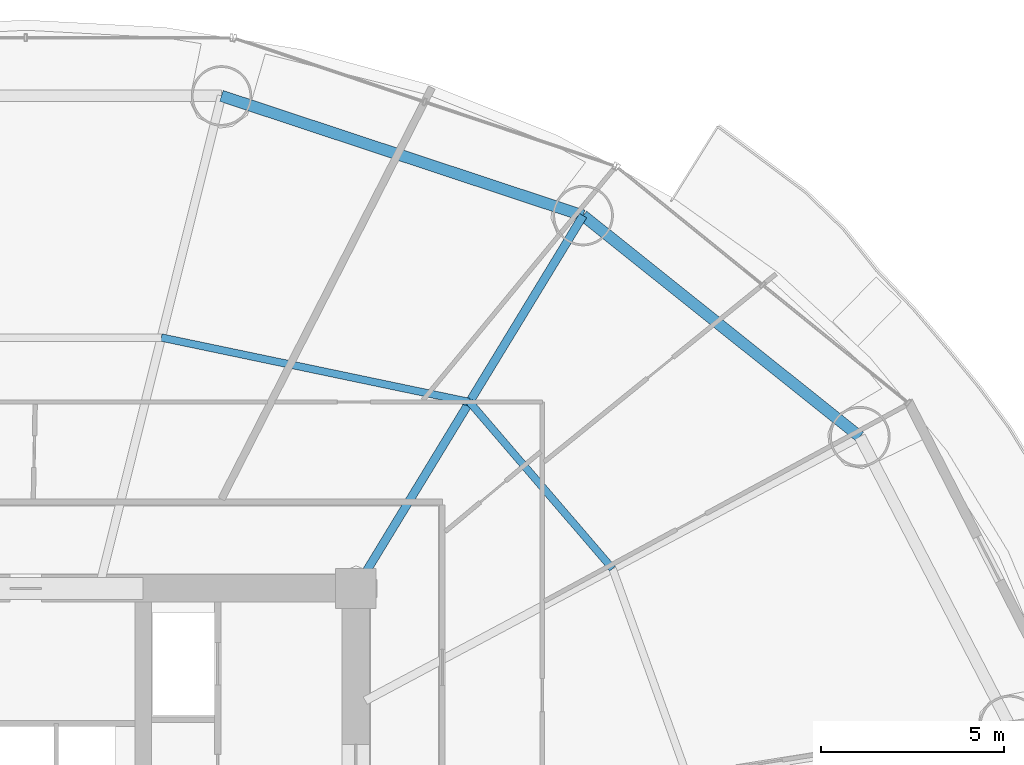
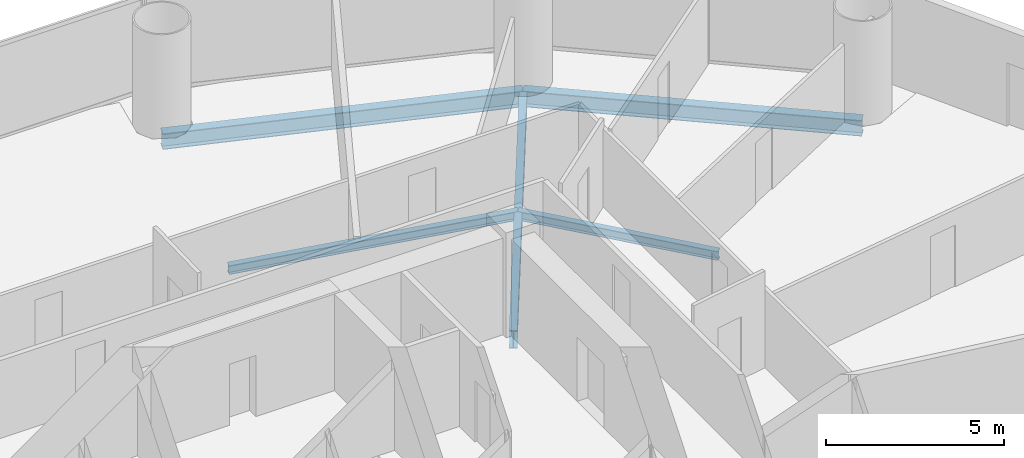
# One storey, part 19 of 30: 5 beams.
"""IFC4 building model written with IfcOpenShell, lengths in metres."""

import ifcopenshell
import ifcopenshell.guid

model = None  # the IFC model being written
_history = None  # IfcOwnerHistory: only IFC2X3 demands one
_inside = {}  # id of a spatial element -> (the spatial element, [elements in it])
_under = {}  # id of a project, library or spatial element -> (it, [spatial elements below it])
_declared = {}  # id of a project -> (the project, [libraries it declares])
_typed = {}  # id of a type object -> (the type object, [elements of that type])
_made_of = {}  # id of a material, layer set ... -> (it, [elements and type objects made of it])


def new_model(schema):
    """Start an empty IFC model of exactly this schema.

    Asked for "IFC4X3", IfcOpenShell would pick the latest addendum, in which some entities
    have other attributes; the version numbers below select the first issue.
    IFC2X3 requires an IfcOwnerHistory on every rooted entity: one is made here for all.
    """
    global model, _history
    if schema == "IFC4X3":
        model = ifcopenshell.file(schema_version=(4, 3, 0, 0))
    else:
        model = ifcopenshell.file(schema=schema)
    _inside.clear()
    _under.clear()
    _declared.clear()
    _typed.clear()
    _made_of.clear()
    _history = None
    if model.schema == "IFC2X3":
        org = make("IfcOrganization", Name="unknown")
        user = make(
            "IfcPersonAndOrganization",
            ThePerson=make("IfcPerson", FamilyName="unknown"),
            TheOrganization=org,
        )
        app = make(
            "IfcApplication",
            ApplicationDeveloper=org,
            Version="unknown",
            ApplicationFullName="unknown",
            ApplicationIdentifier="unknown",
        )
        _history = make(
            "IfcOwnerHistory",
            OwningUser=user,
            OwningApplication=app,
            ChangeAction="ADDED",
            CreationDate=0,
        )
    return model


def make(cls, **values):
    """One entity of the class cls with the attributes given. An attribute that is None is left unset."""
    return model.create_entity(
        cls, **{name: value for name, value in values.items() if value is not None}
    )


def rooted(cls, **values):
    """An entity with a GlobalId (a new one), such as an element, a storey or a relation."""
    return make(cls, GlobalId=ifcopenshell.guid.new(), OwnerHistory=_history, **values)


def si_unit(unit_type, name, prefix=None):
    """IfcSIUnit, for example si_unit("LENGTHUNIT", "METRE", prefix="MILLI")."""
    return make("IfcSIUnit", UnitType=unit_type, Prefix=prefix, Name=name)


def assignment(units):
    """IfcUnitAssignment: the units of a project."""
    return None if units is None else make("IfcUnitAssignment", Units=units)


def point(xyz):
    """IfcCartesianPoint."""
    return None if xyz is None else make("IfcCartesianPoint", Coordinates=xyz)


def direction(xyz):
    """IfcDirection."""
    return None if xyz is None else make("IfcDirection", DirectionRatios=xyz)


def frame(location, z_axis=None, x_axis=None):
    """IfcAxis2Placement3D, a coordinate frame: its origin and axes. An axis left out is left unset."""
    return make(
        "IfcAxis2Placement3D",
        Location=point(location),
        Axis=direction(z_axis),
        RefDirection=direction(x_axis),
    )


def frame_2d(location, x_axis=None):
    """IfcAxis2Placement2D, a coordinate frame in the plane: its origin and x axis."""
    return make(
        "IfcAxis2Placement2D", Location=point(location), RefDirection=direction(x_axis)
    )


def origin():
    """The frame at (0, 0, 0) with its axes left unset."""
    return frame((0.0, 0.0, 0.0))


def origin_2d():
    """The frame at (0, 0) in the plane with its x axis left unset."""
    return frame_2d((0.0, 0.0))


def place(relative_to, where):
    """IfcLocalPlacement: puts the frame where relative to a parent placement (None: the world)."""
    return make(
        "IfcLocalPlacement", PlacementRelTo=relative_to, RelativePlacement=where
    )


def context(
    kind, dimensions, precision=None, world=None, true_north=None, identifier=None
):
    """IfcGeometricRepresentationContext, for example the 3D "Model" context."""
    return make(
        "IfcGeometricRepresentationContext",
        ContextIdentifier=identifier,
        ContextType=kind,
        CoordinateSpaceDimension=dimensions,
        Precision=precision,
        WorldCoordinateSystem=world,
        TrueNorth=true_north,
    )


def subcontext(parent, identifier, kind, view, scale=None):
    """IfcGeometricRepresentationSubContext, for example "Body" below "Model"."""
    return make(
        "IfcGeometricRepresentationSubContext",
        ContextIdentifier=identifier,
        ContextType=kind,
        ParentContext=parent,
        TargetScale=scale,
        TargetView=view,
    )


def project(units=None, contexts=None):
    """IfcProject with its units and contexts."""
    return rooted(
        "IfcProject",
        Name="project",
        RepresentationContexts=contexts,
        UnitsInContext=assignment(units),
    )


def spatial(cls, under=None, at=None, **own):
    """A site, building, storey or space (cls), placed at a placement, below another one or the project."""
    s = rooted(cls, ObjectPlacement=at, **own)
    if under is not None:
        _under.setdefault(under.id(), (under, []))[1].append(s)
    return s


def profile(cls, at=None, kind="AREA", **sizes):
    """A parametric profile (cls). Its sizes go by their IFC names, for example OverallWidth=200.0."""
    return make(cls, ProfileType=kind, Position=at, **sizes)


def i_section(**sizes):
    """IfcIShapeProfileDef."""
    return profile("IfcIShapeProfileDef", **sizes)


def extrude(swept, where, along, depth):
    """IfcExtrudedAreaSolid: the profile swept, set in the frame where, extruded along a direction by depth."""
    return make(
        "IfcExtrudedAreaSolid",
        SweptArea=swept,
        Position=where,
        ExtrudedDirection=direction(along),
        Depth=depth,
    )


def shape(context_of_items, identifier, shape_type, items):
    """IfcShapeRepresentation: the items that make up one representation, for example the "Body"."""
    return make(
        "IfcShapeRepresentation",
        ContextOfItems=context_of_items,
        RepresentationIdentifier=identifier,
        RepresentationType=shape_type,
        Items=items,
    )


def material(Name=None, Category=None):
    """IfcMaterial."""
    return make("IfcMaterial", Name=Name, Category=Category)


def material_profile(
    of_material, cross_section, Name=None, Category=None, Priority=None
):
    """IfcMaterialProfile: a cross section and its material."""
    return make(
        "IfcMaterialProfile",
        Name=Name,
        Material=of_material,
        Profile=cross_section,
        Priority=Priority,
        Category=Category,
    )


def profile_set(profiles, Name=None, composite=None):
    """IfcMaterialProfileSet."""
    return make(
        "IfcMaterialProfileSet",
        Name=Name,
        MaterialProfiles=profiles,
        CompositeProfile=composite,
    )


def made_of(thing, what):
    """Note that an element or type object is made of a material, layer set ...; save() writes the relation."""
    if what is not None:
        _made_of.setdefault(what.id(), (what, []))[1].append(thing)
    return thing


def type_object(cls, material=None, **own):
    """A type object (cls), such as IfcWallType, which elements share."""
    return made_of(rooted(cls, **own), material)


def element(
    cls,
    number,
    at=None,
    inside=None,
    cuts=None,
    type_object=None,
    material=None,
    context=None,
    identifier="Body",
    shape_type=None,
    held_by="IfcProductDefinitionShape",
    body=None,
    shapes=None,
    **own,
):
    """One element of the class cls, such as IfcWall. Its Tag is "e" and its number.

    at: its placement. inside: the storey or other place that contains it. cuts: it is an
    opening in that element (IfcRelVoidsElement). A single representation is given by context,
    identifier, shape_type and body (its items); several are given by shapes. held_by: the class
    of the entity that holds the representations. save() writes the other relations.
    """
    e = rooted(cls, Tag="e%d" % number, ObjectPlacement=at, **own)
    if body is not None:
        shapes = [shape(context, identifier, shape_type, body)]
    if shapes is not None:
        e.Representation = make(held_by, Representations=shapes)
    if inside is not None:
        _inside.setdefault(inside.id(), (inside, []))[1].append(e)
    if cuts is not None:
        rooted(
            "IfcRelVoidsElement", RelatingBuildingElement=cuts, RelatedOpeningElement=e
        )
    if type_object is not None:
        _typed.setdefault(type_object.id(), (type_object, []))[1].append(e)
    return made_of(e, material)


def aggregate(whole, parts):
    """IfcRelAggregates: a whole, such as a stair, and the parts it consists of."""
    return rooted("IfcRelAggregates", RelatingObject=whole, RelatedObjects=parts)


def save(model, path):
    """Write the relations noted so far, then the file.

    IfcRelAggregates (storeys below a building ...), IfcRelContainedInSpatialStructure (elements
    in a storey), IfcRelDefinesByType, IfcRelAssociatesMaterial and IfcRelDeclares: one each for
    every whole, place, type object, material and project.
    """
    for whole, parts in _under.values():
        aggregate(whole, parts)
    for where, things in _inside.values():
        rooted(
            "IfcRelContainedInSpatialStructure",
            RelatedElements=things,
            RelatingStructure=where,
        )
    for kind, things in _typed.values():
        rooted("IfcRelDefinesByType", RelatedObjects=things, RelatingType=kind)
    for what, things in _made_of.values():
        rooted("IfcRelAssociatesMaterial", RelatedObjects=things, RelatingMaterial=what)
    for by, libraries in _declared.values():
        rooted("IfcRelDeclares", RelatingContext=by, RelatedDefinitions=libraries)
    model.write(path)


model = new_model("IFC4")

# Units and contexts
model_context = context("Model", 3, precision=1e-05, world=origin(), true_north=direction((-0.2419218956, 0.970295726276)))
body_context = subcontext(model_context, "Body", "Model", "MODEL_VIEW")
ifc_project = project(units=[si_unit("LENGTHUNIT", "METRE"), si_unit("AREAUNIT", "SQUARE_METRE"), si_unit("VOLUMEUNIT", "CUBIC_METRE"), si_unit("PLANEANGLEUNIT", "RADIAN"), si_unit("MASSUNIT", "GRAM", prefix="KILO")], contexts=[model_context])

# Site, building, storey
site_placement = place(None, origin())
site = spatial("IfcSite", under=ifc_project, at=site_placement, CompositionType="ELEMENT")
building_placement = place(site_placement, origin())
building = spatial("IfcBuilding", under=site, at=building_placement, Name="Cobrevalo Terracotta Tower", CompositionType="ELEMENT")
storey_placement = place(building_placement, frame((0.0, 0.0, 27.60009765625)))
storey = spatial("IfcBuildingStorey", under=building, at=storey_placement, Name="L06", CompositionType="ELEMENT", Elevation=27.60009765625)

# Beams
ifc_material = material(Name="Steel S355", Category="steel")
ifc_material_profile_1 = material_profile(ifc_material, i_section(OverallWidth=0.22998046875, OverallDepth=0.616943359375, WebThickness=0.01318359375, FlangeThickness=0.022216796875, at=origin_2d()), Name="W 610x140")
ifc_profile_set_1 = profile_set([ifc_material_profile_1], Name="Steel S355")
beam_type_1 = type_object("IfcBeamType", Name="Structural Beam W 610x140 (Steel S355)", PredefinedType="BEAM", material=ifc_profile_set_1)
beam_1_placement = place(storey_placement, frame((53.19482421875, 44.967529296875, -0.588623046875), z_axis=(-0.520309892051, -0.853977526773, 0.0), x_axis=(0.853977526773, -0.520309892051, 0.0)))
element("IfcBeam", 1, at=beam_1_placement, inside=storey, type_object=beam_type_1, Name="L06 radial floor girder 03", PredefinedType="BEAM", context=body_context, shape_type="SweptSolid", body=[
    extrude(i_section(OverallWidth=0.22998046875, OverallDepth=0.616943359375, WebThickness=0.01318359375, FlangeThickness=0.022216796875, at=origin_2d()), origin(), (0.0, 0.0, 1.0), 11.906005859375),
])
ifc_material_profile_2 = material_profile(ifc_material, i_section(OverallWidth=0.2041015625, OverallDepth=0.305908203125, WebThickness=0.008544921875, FlangeThickness=0.0146484375, at=origin_2d()), Name="W 310x67")
ifc_profile_set_2 = profile_set([ifc_material_profile_2], Name="Steel S355")
beam_type_2 = type_object("IfcBeamType", Name="Structural Joist W 310x67 (Steel S355)", PredefinedType="JOIST", material=ifc_profile_set_2)
beam_2_placement = place(storey_placement, frame((53.997802734375, 35.33984375, -0.43310546875), z_axis=(-0.651328404454, 0.758795960421, 0.0), x_axis=(-0.758795960421, -0.651328404454, 0.0)))
element("IfcBeam", 2, at=beam_2_placement, inside=storey, type_object=beam_type_2, Name="L06 circumferential secondary floor joist 02", PredefinedType="JOIST", context=body_context, shape_type="SweptSolid", body=[
    extrude(i_section(OverallWidth=0.2041015625, OverallDepth=0.305908203125, WebThickness=0.008544921875, FlangeThickness=0.0146484375, at=origin_2d()), origin(), (0.0, 0.0, 1.0), 5.98828125),
])
beam_3_placement = place(storey_placement, frame((50.097412109375, 39.8837890625, -0.43310546875), z_axis=(-0.978784523904, 0.204892302848, 0.0), x_axis=(-0.204892302848, -0.978784523904, 0.0)))
element("IfcBeam", 3, at=beam_3_placement, inside=storey, type_object=beam_type_2, Name="L06 circumferential secondary floor joist 03", PredefinedType="JOIST", context=body_context, shape_type="SweptSolid", body=[
    extrude(i_section(OverallWidth=0.2041015625, OverallDepth=0.305908203125, WebThickness=0.008544921875, FlangeThickness=0.0146484375, at=origin_2d()), origin(), (0.0, 0.0, 1.0), 8.583984375),
])
ifc_material_profile_3 = material_profile(ifc_material, i_section(OverallWidth=0.31201171875, OverallDepth=0.54296875, WebThickness=0.0126953125, FlangeThickness=0.020263671875, at=origin_2d()), Name="W 530x150")
ifc_profile_set_3 = profile_set([ifc_material_profile_3], Name="Steel S355")
beam_type_3 = type_object("IfcBeamType", Name="Structural Spandrel W 530x150 (Steel S355)", PredefinedType="SPANDREL", material=ifc_profile_set_3)
beam_4_placement = place(storey_placement, frame((60.74072265625, 38.939208984375, -0.551513671875), z_axis=(-0.781292806807, 0.62416468182, 0.0), x_axis=(-0.62416468182, -0.781292806807, 0.0)))
element("IfcBeam", 4, at=beam_4_placement, inside=storey, type_object=beam_type_3, Name="L06 perimeter ring spandrel 02", PredefinedType="SPANDREL", context=body_context, shape_type="SweptSolid", body=[
    extrude(i_section(OverallWidth=0.31201171875, OverallDepth=0.54296875, WebThickness=0.0126953125, FlangeThickness=0.020263671875, at=origin_2d()), origin(), (0.0, 0.0, 1.0), 9.658203125),
])
beam_5_placement = place(storey_placement, frame((53.19482421875, 44.967529296875, -0.551513671875), z_axis=(-0.949365190876, 0.314174687638, 0.0), x_axis=(-0.314174687638, -0.949365190876, 0.0)))
element("IfcBeam", 5, at=beam_5_placement, inside=storey, type_object=beam_type_3, Name="L06 perimeter ring spandrel 03", PredefinedType="SPANDREL", context=body_context, shape_type="SweptSolid", body=[
    extrude(i_section(OverallWidth=0.31201171875, OverallDepth=0.54296875, WebThickness=0.0126953125, FlangeThickness=0.020263671875, at=origin_2d()), origin(), (0.0, 0.0, 1.0), 10.385009765625),
])

save(model, "model.ifc")
